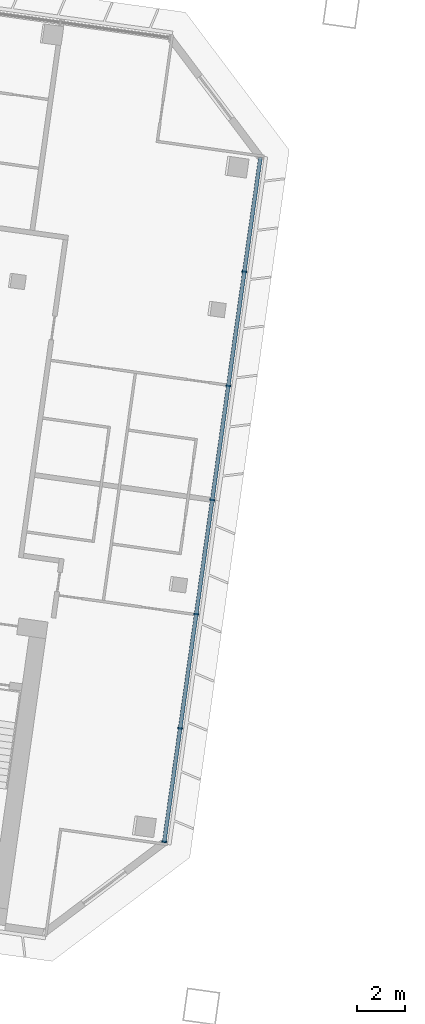
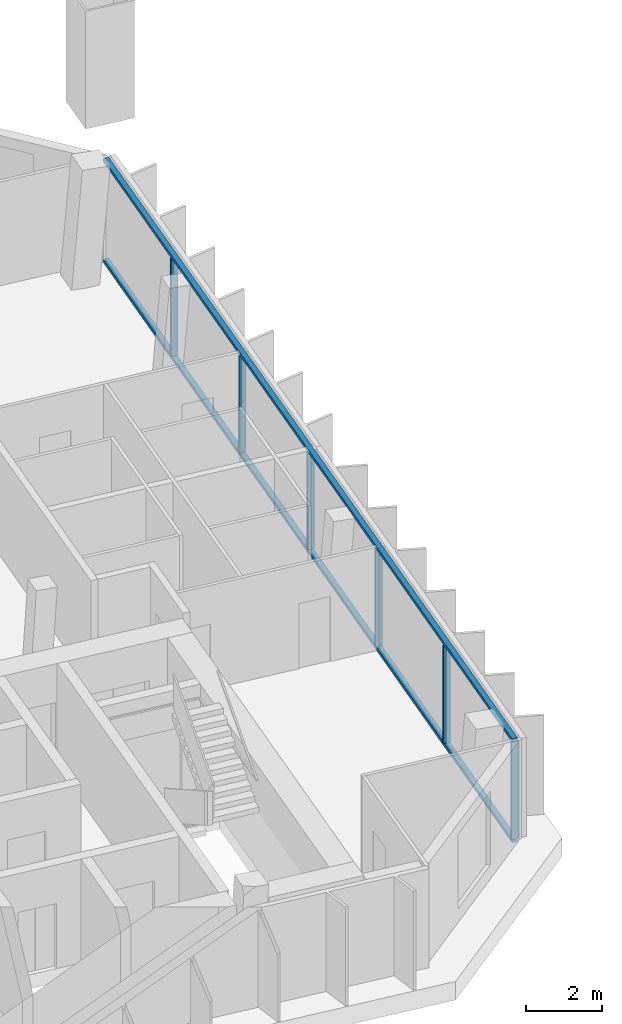
# One storey, part 3 of 23: 8 members, 1 element without a shape of its own.
"""IFC4 building model written with IfcOpenShell, lengths in metres."""

import ifcopenshell
import ifcopenshell.guid

model = None  # the IFC model being written
_history = None  # IfcOwnerHistory: only IFC2X3 demands one
_inside = {}  # id of a spatial element -> (the spatial element, [elements in it])
_under = {}  # id of a project, library or spatial element -> (it, [spatial elements below it])
_declared = {}  # id of a project -> (the project, [libraries it declares])
_typed = {}  # id of a type object -> (the type object, [elements of that type])
_made_of = {}  # id of a material, layer set ... -> (it, [elements and type objects made of it])


def new_model(schema):
    """Start an empty IFC model of exactly this schema.

    Asked for "IFC4X3", IfcOpenShell would pick the latest addendum, in which some entities
    have other attributes; the version numbers below select the first issue.
    IFC2X3 requires an IfcOwnerHistory on every rooted entity: one is made here for all.
    """
    global model, _history
    if schema == "IFC4X3":
        model = ifcopenshell.file(schema_version=(4, 3, 0, 0))
    else:
        model = ifcopenshell.file(schema=schema)
    _inside.clear()
    _under.clear()
    _declared.clear()
    _typed.clear()
    _made_of.clear()
    _history = None
    if model.schema == "IFC2X3":
        org = make("IfcOrganization", Name="unknown")
        user = make(
            "IfcPersonAndOrganization",
            ThePerson=make("IfcPerson", FamilyName="unknown"),
            TheOrganization=org,
        )
        app = make(
            "IfcApplication",
            ApplicationDeveloper=org,
            Version="unknown",
            ApplicationFullName="unknown",
            ApplicationIdentifier="unknown",
        )
        _history = make(
            "IfcOwnerHistory",
            OwningUser=user,
            OwningApplication=app,
            ChangeAction="ADDED",
            CreationDate=0,
        )
    return model


def make(cls, **values):
    """One entity of the class cls with the attributes given. An attribute that is None is left unset."""
    return model.create_entity(
        cls, **{name: value for name, value in values.items() if value is not None}
    )


def rooted(cls, **values):
    """An entity with a GlobalId (a new one), such as an element, a storey or a relation."""
    return make(cls, GlobalId=ifcopenshell.guid.new(), OwnerHistory=_history, **values)


def si_unit(unit_type, name, prefix=None):
    """IfcSIUnit, for example si_unit("LENGTHUNIT", "METRE", prefix="MILLI")."""
    return make("IfcSIUnit", UnitType=unit_type, Prefix=prefix, Name=name)


def assignment(units):
    """IfcUnitAssignment: the units of a project."""
    return None if units is None else make("IfcUnitAssignment", Units=units)


def point(xyz):
    """IfcCartesianPoint."""
    return None if xyz is None else make("IfcCartesianPoint", Coordinates=xyz)


def direction(xyz):
    """IfcDirection."""
    return None if xyz is None else make("IfcDirection", DirectionRatios=xyz)


def frame(location, z_axis=None, x_axis=None):
    """IfcAxis2Placement3D, a coordinate frame: its origin and axes. An axis left out is left unset."""
    return make(
        "IfcAxis2Placement3D",
        Location=point(location),
        Axis=direction(z_axis),
        RefDirection=direction(x_axis),
    )


def frame_2d(location, x_axis=None):
    """IfcAxis2Placement2D, a coordinate frame in the plane: its origin and x axis."""
    return make(
        "IfcAxis2Placement2D", Location=point(location), RefDirection=direction(x_axis)
    )


def origin():
    """The frame at (0, 0, 0) with its axes left unset."""
    return frame((0.0, 0.0, 0.0))


def origin_2d():
    """The frame at (0, 0) in the plane with its x axis left unset."""
    return frame_2d((0.0, 0.0))


def place(relative_to, where):
    """IfcLocalPlacement: puts the frame where relative to a parent placement (None: the world)."""
    return make(
        "IfcLocalPlacement", PlacementRelTo=relative_to, RelativePlacement=where
    )


def context(
    kind, dimensions, precision=None, world=None, true_north=None, identifier=None
):
    """IfcGeometricRepresentationContext, for example the 3D "Model" context."""
    return make(
        "IfcGeometricRepresentationContext",
        ContextIdentifier=identifier,
        ContextType=kind,
        CoordinateSpaceDimension=dimensions,
        Precision=precision,
        WorldCoordinateSystem=world,
        TrueNorth=true_north,
    )


def subcontext(parent, identifier, kind, view, scale=None):
    """IfcGeometricRepresentationSubContext, for example "Body" below "Model"."""
    return make(
        "IfcGeometricRepresentationSubContext",
        ContextIdentifier=identifier,
        ContextType=kind,
        ParentContext=parent,
        TargetScale=scale,
        TargetView=view,
    )


def project(units=None, contexts=None):
    """IfcProject with its units and contexts."""
    return rooted(
        "IfcProject",
        Name="project",
        RepresentationContexts=contexts,
        UnitsInContext=assignment(units),
    )


def spatial(cls, under=None, at=None, **own):
    """A site, building, storey or space (cls), placed at a placement, below another one or the project."""
    s = rooted(cls, ObjectPlacement=at, **own)
    if under is not None:
        _under.setdefault(under.id(), (under, []))[1].append(s)
    return s


def profile(cls, at=None, kind="AREA", **sizes):
    """A parametric profile (cls). Its sizes go by their IFC names, for example OverallWidth=200.0."""
    return make(cls, ProfileType=kind, Position=at, **sizes)


def rectangle(**sizes):
    """IfcRectangleProfileDef."""
    return profile("IfcRectangleProfileDef", **sizes)


def extrude(swept, where, along, depth):
    """IfcExtrudedAreaSolid: the profile swept, set in the frame where, extruded along a direction by depth."""
    return make(
        "IfcExtrudedAreaSolid",
        SweptArea=swept,
        Position=where,
        ExtrudedDirection=direction(along),
        Depth=depth,
    )


def shape(context_of_items, identifier, shape_type, items):
    """IfcShapeRepresentation: the items that make up one representation, for example the "Body"."""
    return make(
        "IfcShapeRepresentation",
        ContextOfItems=context_of_items,
        RepresentationIdentifier=identifier,
        RepresentationType=shape_type,
        Items=items,
    )


def material(Name=None, Category=None):
    """IfcMaterial."""
    return make("IfcMaterial", Name=Name, Category=Category)


def material_profile(
    of_material, cross_section, Name=None, Category=None, Priority=None
):
    """IfcMaterialProfile: a cross section and its material."""
    return make(
        "IfcMaterialProfile",
        Name=Name,
        Material=of_material,
        Profile=cross_section,
        Priority=Priority,
        Category=Category,
    )


def profile_set(profiles, Name=None, composite=None):
    """IfcMaterialProfileSet."""
    return make(
        "IfcMaterialProfileSet",
        Name=Name,
        MaterialProfiles=profiles,
        CompositeProfile=composite,
    )


def made_of(thing, what):
    """Note that an element or type object is made of a material, layer set ...; save() writes the relation."""
    if what is not None:
        _made_of.setdefault(what.id(), (what, []))[1].append(thing)
    return thing


def type_object(cls, material=None, **own):
    """A type object (cls), such as IfcWallType, which elements share."""
    return made_of(rooted(cls, **own), material)


def element(
    cls,
    number,
    at=None,
    inside=None,
    cuts=None,
    type_object=None,
    material=None,
    context=None,
    identifier="Body",
    shape_type=None,
    held_by="IfcProductDefinitionShape",
    body=None,
    shapes=None,
    **own,
):
    """One element of the class cls, such as IfcWall. Its Tag is "e" and its number.

    at: its placement. inside: the storey or other place that contains it. cuts: it is an
    opening in that element (IfcRelVoidsElement). A single representation is given by context,
    identifier, shape_type and body (its items); several are given by shapes. held_by: the class
    of the entity that holds the representations. save() writes the other relations.
    """
    e = rooted(cls, Tag="e%d" % number, ObjectPlacement=at, **own)
    if body is not None:
        shapes = [shape(context, identifier, shape_type, body)]
    if shapes is not None:
        e.Representation = make(held_by, Representations=shapes)
    if inside is not None:
        _inside.setdefault(inside.id(), (inside, []))[1].append(e)
    if cuts is not None:
        rooted(
            "IfcRelVoidsElement", RelatingBuildingElement=cuts, RelatedOpeningElement=e
        )
    if type_object is not None:
        _typed.setdefault(type_object.id(), (type_object, []))[1].append(e)
    return made_of(e, material)


def aggregate(whole, parts):
    """IfcRelAggregates: a whole, such as a stair, and the parts it consists of."""
    return rooted("IfcRelAggregates", RelatingObject=whole, RelatedObjects=parts)


def save(model, path):
    """Write the relations noted so far, then the file.

    IfcRelAggregates (storeys below a building ...), IfcRelContainedInSpatialStructure (elements
    in a storey), IfcRelDefinesByType, IfcRelAssociatesMaterial and IfcRelDeclares: one each for
    every whole, place, type object, material and project.
    """
    for whole, parts in _under.values():
        aggregate(whole, parts)
    for where, things in _inside.values():
        rooted(
            "IfcRelContainedInSpatialStructure",
            RelatedElements=things,
            RelatingStructure=where,
        )
    for kind, things in _typed.values():
        rooted("IfcRelDefinesByType", RelatedObjects=things, RelatingType=kind)
    for what, things in _made_of.values():
        rooted("IfcRelAssociatesMaterial", RelatedObjects=things, RelatingMaterial=what)
    for by, libraries in _declared.values():
        rooted("IfcRelDeclares", RelatingContext=by, RelatedDefinitions=libraries)
    model.write(path)


model = new_model("IFC4")

# Units and contexts
model_context = context("Model", 3, precision=1e-05, world=origin(), true_north=direction((0.0, 1.0)))
body_context = subcontext(model_context, "Body", "Model", "MODEL_VIEW")
ifc_project = project(units=[si_unit("LENGTHUNIT", "METRE"), si_unit("AREAUNIT", "SQUARE_METRE"), si_unit("VOLUMEUNIT", "CUBIC_METRE"), si_unit("PLANEANGLEUNIT", "RADIAN"), si_unit("MASSUNIT", "GRAM", prefix="KILO")], contexts=[model_context])

# Site, building, storey
site_placement = place(None, origin())
site = spatial("IfcSite", under=ifc_project, at=site_placement, CompositionType="ELEMENT")
building_placement = place(site_placement, origin())
building = spatial("IfcBuilding", under=site, at=building_placement, Name="Mirante Cascada Hotel Towers", CompositionType="ELEMENT")
storey_placement = place(building_placement, frame((0.0, 0.0, 187.8)))
storey = spatial("IfcBuildingStorey", under=building, at=storey_placement, Name="L44", CompositionType="ELEMENT", Elevation=187.8)

# Curtain wall, members
ifc_material_1 = material(Name="Aluminium mullion and transom frame with clear laminated glass", Category="aluminium")
curtain_wall_type = type_object("IfcCurtainWallType", Name="End ribbon curtain wall ECW2", PredefinedType="NOTDEFINED", material=ifc_material_1)
curtain_wall_placement = place(storey_placement, origin())
curtain_wall = element("IfcCurtainWall", 1, at=curtain_wall_placement, inside=storey, type_object=curtain_wall_type, Name="Inner end wall T1 L44", PredefinedType="NOTDEFINED")
ifc_material_2 = material(Name="Anodised aluminium extrusion", Category="aluminium")
ifc_material_profile_1 = material_profile(ifc_material_2, rectangle(XDim=0.2, YDim=0.065, at=origin_2d()), Name="ECW2 MULLION 65x200")
ifc_profile_set_1 = profile_set([ifc_material_profile_1], Name="Anodised aluminium extrusion")
member_type_1 = type_object("IfcMemberType", Name="ECW2 mullion 65x200", PredefinedType="MULLION", material=ifc_profile_set_1)
member_1_placement = place(storey_placement, frame((-27.2965, 7.3399, 0.1), z_axis=(0.0, 0.0, 1.0), x_axis=(0.9902681, -0.1391731, 0.0)))
member_1 = element("IfcMember", 2, at=member_1_placement, type_object=member_type_1, Name="ECW2 mullion 2", PredefinedType="MULLION", context=body_context, shape_type="SweptSolid", body=[
    extrude(rectangle(XDim=0.2, YDim=0.065, at=origin_2d()), origin(), (0.0, 0.0, 1.0), 3.15),
])
member_2_placement = place(storey_placement, frame((-27.9663, 2.5741, 0.1), z_axis=(0.0, 0.0, 1.0), x_axis=(0.9902681, -0.1391731, 0.0)))
member_2 = element("IfcMember", 3, at=member_2_placement, type_object=member_type_1, Name="ECW2 mullion 3", PredefinedType="MULLION", context=body_context, shape_type="SweptSolid", body=[
    extrude(rectangle(XDim=0.2, YDim=0.065, at=origin_2d()), origin(), (0.0, 0.0, 1.0), 3.15),
])
member_3_placement = place(storey_placement, frame((-28.6361, -2.1917, 0.1), z_axis=(0.0, 0.0, 1.0), x_axis=(0.9902681, -0.1391731, 0.0)))
member_3 = element("IfcMember", 4, at=member_3_placement, type_object=member_type_1, Name="ECW2 mullion 4", PredefinedType="MULLION", context=body_context, shape_type="SweptSolid", body=[
    extrude(rectangle(XDim=0.2, YDim=0.065, at=origin_2d()), origin(), (0.0, 0.0, 1.0), 3.15),
])
member_4_placement = place(storey_placement, frame((-29.3058, -6.9575, 0.1), z_axis=(0.0, 0.0, 1.0), x_axis=(0.9902681, -0.1391731, 0.0)))
member_4 = element("IfcMember", 5, at=member_4_placement, type_object=member_type_1, Name="ECW2 mullion 5", PredefinedType="MULLION", context=body_context, shape_type="SweptSolid", body=[
    extrude(rectangle(XDim=0.2, YDim=0.065, at=origin_2d()), origin(), (0.0, 0.0, 1.0), 3.15),
])
member_5_placement = place(storey_placement, frame((-29.9756, -11.7233, 0.1), z_axis=(0.0, 0.0, 1.0), x_axis=(0.9902681, -0.1391731, 0.0)))
member_5 = element("IfcMember", 6, at=member_5_placement, type_object=member_type_1, Name="ECW2 mullion 6", PredefinedType="MULLION", context=body_context, shape_type="SweptSolid", body=[
    extrude(rectangle(XDim=0.2, YDim=0.065, at=origin_2d()), origin(), (0.0, 0.0, 1.0), 3.15),
])
member_6_placement = place(storey_placement, frame((-30.6409, -16.4569, 0.1), z_axis=(0.0, 0.0, 1.0), x_axis=(0.9902681, -0.1391731, 0.0)))
member_6 = element("IfcMember", 7, at=member_6_placement, type_object=member_type_1, Name="ECW2 mullion 7", PredefinedType="MULLION", context=body_context, shape_type="SweptSolid", body=[
    extrude(rectangle(XDim=0.2, YDim=0.065, at=origin_2d()), origin(), (0.0, 0.0, 1.0), 3.15),
])
ifc_material_3 = material(Name="Anodised aluminium extrusion", Category="aluminium")
ifc_material_profile_2 = material_profile(ifc_material_3, rectangle(XDim=0.16, YDim=0.1, at=origin_2d()), Name="ECW2 TRANSOM 100x160")
ifc_profile_set_2 = profile_set([ifc_material_profile_2], Name="Anodised aluminium extrusion")
member_type_2 = type_object("IfcMemberType", Name="ECW2 transom 100x160", PredefinedType="USERDEFINED", material=ifc_profile_set_2)
member_7_placement = place(storey_placement, frame((-26.6267, 12.1057, 0.05), z_axis=(-0.1391723, -0.9902682, 0.0), x_axis=(0.9902682, -0.1391723, 0.0)))
member_7 = element("IfcMember", 8, at=member_7_placement, type_object=member_type_2, Name="ECW2 sill transom", ObjectType="TRANSOM", PredefinedType="USERDEFINED", context=body_context, shape_type="SweptSolid", body=[
    extrude(rectangle(XDim=0.16, YDim=0.1, at=origin_2d()), origin(), (0.0, 0.0, 1.0), 28.8757),
])
member_8_placement = place(storey_placement, frame((-26.6267, 12.1057, 3.3), z_axis=(-0.1391723, -0.9902682, 0.0), x_axis=(0.9902682, -0.1391723, 0.0)))
member_8 = element("IfcMember", 9, at=member_8_placement, type_object=member_type_2, Name="ECW2 head transom", ObjectType="TRANSOM", PredefinedType="USERDEFINED", context=body_context, shape_type="SweptSolid", body=[
    extrude(rectangle(XDim=0.16, YDim=0.1, at=origin_2d()), origin(), (0.0, 0.0, 1.0), 28.8757),
])
aggregate(curtain_wall, [member_7, member_8, member_1, member_2, member_3, member_4, member_5, member_6])

save(model, "model.ifc")
